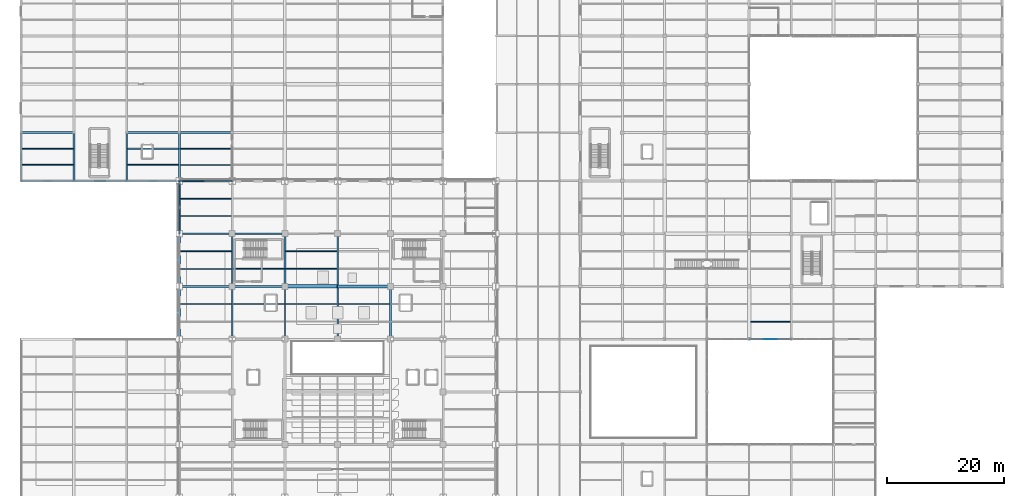
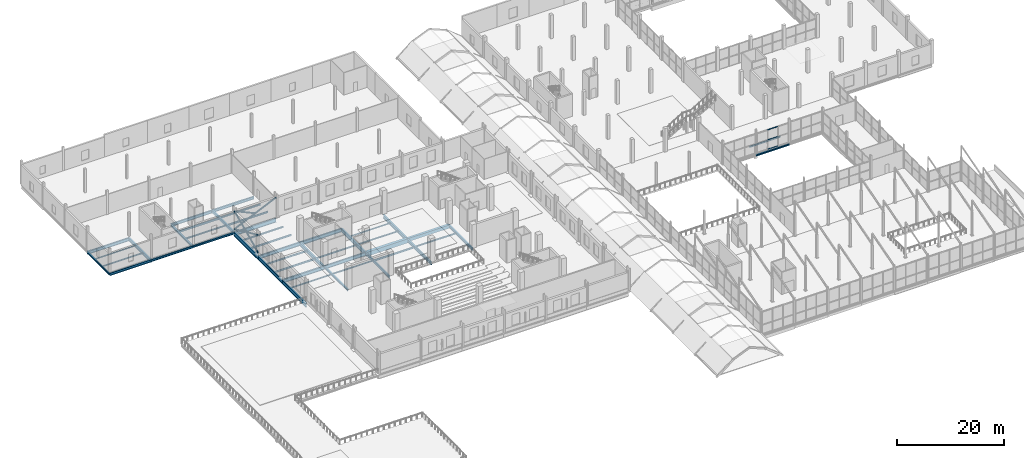
# One storey, part 43 of 141: 46 beams, 8 members, 1 element without a shape of its own.
"""IFC4 building model written with IfcOpenShell, lengths in metres."""

from ifc_helpers import new_model, si_unit, direction, frame, origin, origin_2d, place, context, subcontext, project, spatial, rectangle, hollow_rectangle, hollow_circle, i_section, extrude, material, layer, layer_set, material_profile, profile_set, type_object, element, aggregate, save


model = new_model("IFC4")

# Units and contexts
model_context = context("Model", 3, precision=1e-05, world=origin(), true_north=direction((0.0, 1.0)))
body_context = subcontext(model_context, "Body", "Model", "MODEL_VIEW")
ifc_project = project(units=[si_unit("LENGTHUNIT", "METRE"), si_unit("AREAUNIT", "SQUARE_METRE"), si_unit("VOLUMEUNIT", "CUBIC_METRE"), si_unit("PLANEANGLEUNIT", "RADIAN"), si_unit("MASSUNIT", "GRAM", prefix="KILO")], contexts=[model_context])

# Site, building, storey
site_placement = place(None, origin())
site = spatial("IfcSite", under=ifc_project, at=site_placement, CompositionType="ELEMENT")
building_placement = place(site_placement, origin())
building = spatial("IfcBuilding", under=site, at=building_placement, Name="Sundgate Opera House", CompositionType="ELEMENT")
storey_placement = place(building_placement, frame((0.0, 0.0, 11.39990234375)))
storey = spatial("IfcBuildingStorey", under=building, at=storey_placement, Name="L02", CompositionType="ELEMENT", Elevation=11.39990234375)

# Beams
ifc_material_1 = material(Name="Steel S355J2", Category="steel")
ifc_material_profile_1 = material_profile(ifc_material_1, i_section(OverallWidth=0.300048828125, OverallDepth=0.35009765625, WebThickness=0.010009765625, FlangeThickness=0.017578125, at=origin_2d()), Name="HEA 360")
ifc_profile_set_1 = profile_set([ifc_material_profile_1], Name="Steel S355J2")
beam_type_1 = type_object("IfcBeamType", Name="BM-GR-HEA360", PredefinedType="BEAM", material=ifc_profile_set_1)
beam_1_placement = place(storey_placement, frame((124.199951171875, 60.0, -0.52490234375), z_axis=(1.0, 0.0, 0.0), x_axis=(0.0, 1.0, 0.0)))
element("IfcBeam", 1, at=beam_1_placement, inside=storey, type_object=beam_type_1, Name="L02 Primary E-W Girder B2029", PredefinedType="BEAM", context=body_context, shape_type="SweptSolid", body=[
    extrude(i_section(OverallWidth=0.300048828125, OverallDepth=0.35009765625, WebThickness=0.010009765625, FlangeThickness=0.017578125, at=origin_2d()), origin(), (0.0, 0.0, 1.0), 7.199951171875),
])
ifc_material_2 = material(Name="Steel S355J2", Category="steel")
ifc_material_profile_2 = material_profile(ifc_material_2, i_section(OverallWidth=0.300048828125, OverallDepth=0.389892578125, WebThickness=0.010986328125, FlangeThickness=0.01904296875, at=origin_2d()), Name="HEA 400")
ifc_profile_set_2 = profile_set([ifc_material_profile_2], Name="Steel S355J2")
beam_type_2 = type_object("IfcBeamType", Name="BM-GR-HEA400", PredefinedType="BEAM", material=ifc_profile_set_2)
beam_2_placement = place(storey_placement, frame((0.0, 87.0, -0.544921875), z_axis=(0.0, 1.0, 0.0), x_axis=(-1.0, 0.0, 0.0)))
element("IfcBeam", 2, at=beam_2_placement, inside=storey, type_object=beam_type_2, Name="L02 Primary N-S Girder B1787", PredefinedType="BEAM", context=body_context, shape_type="SweptSolid", body=[
    extrude(i_section(OverallWidth=0.300048828125, OverallDepth=0.389892578125, WebThickness=0.010986328125, FlangeThickness=0.01904296875, at=origin_2d()), origin(), (0.0, 0.0, 1.0), 8.25),
])
ifc_material_3 = material(Name="Steel S355J2", Category="steel")
ifc_material_profile_3 = material_profile(ifc_material_3, i_section(OverallWidth=0.300048828125, OverallDepth=0.489990234375, WebThickness=0.011962890625, FlangeThickness=0.02294921875, at=origin_2d()), Name="HEA 500")
ifc_profile_set_3 = profile_set([ifc_material_profile_3], Name="Steel S355J2")
beam_type_3 = type_object("IfcBeamType", Name="BM-GR-HEA500", PredefinedType="BEAM", material=ifc_profile_set_3)
beam_3_placement = place(storey_placement, frame((18.0, 87.0, -0.594970703125), z_axis=(0.0, 1.0, 0.0), x_axis=(-1.0, 0.0, 0.0)))
element("IfcBeam", 3, at=beam_3_placement, inside=storey, type_object=beam_type_3, Name="L02 Primary N-S Girder B1807", PredefinedType="BEAM", context=body_context, shape_type="SweptSolid", body=[
    extrude(i_section(OverallWidth=0.300048828125, OverallDepth=0.489990234375, WebThickness=0.011962890625, FlangeThickness=0.02294921875, at=origin_2d()), origin(), (0.0, 0.0, 1.0), 8.25),
])
ifc_material_4 = material(Name="Steel S355J2", Category="steel")
ifc_material_profile_4 = material_profile(ifc_material_4, i_section(OverallWidth=0.300048828125, OverallDepth=0.590087890625, WebThickness=0.012939453125, FlangeThickness=0.02490234375, at=origin_2d()), Name="HEA 600")
ifc_profile_set_4 = profile_set([ifc_material_profile_4], Name="Steel S355J2")
beam_type_4 = type_object("IfcBeamType", Name="BM-GR-HEA600", PredefinedType="BEAM", material=ifc_profile_set_4)
beam_4_placement = place(storey_placement, frame((63.0, 60.0, -0.614990234375), z_axis=(0.0, 1.0, 0.0), x_axis=(-1.0, 0.0, 0.0)))
element("IfcBeam", 4, at=beam_4_placement, inside=storey, type_object=beam_type_4, Name="L02 Primary N-S Girder B1833", PredefinedType="BEAM", context=body_context, shape_type="SweptSolid", body=[
    extrude(i_section(OverallWidth=0.300048828125, OverallDepth=0.590087890625, WebThickness=0.012939453125, FlangeThickness=0.02490234375, at=origin_2d()), origin(), (0.0, 0.0, 1.0), 9.0),
])
ifc_material_5 = material(Name="Steel S355J2", Category="steel")
ifc_material_profile_5 = material_profile(ifc_material_5, i_section(OverallWidth=0.300048828125, OverallDepth=0.39990234375, WebThickness=0.013427734375, FlangeThickness=0.02392578125, at=origin_2d()), Name="HEB 400")
ifc_profile_set_5 = profile_set([ifc_material_profile_5], Name="Steel S355J2")
beam_type_5 = type_object("IfcBeamType", Name="BM-GR-HEB400", PredefinedType="BEAM", material=ifc_profile_set_5)
beam_5_placement = place(storey_placement, frame((36.0, 60.0, -0.52001953125), z_axis=(0.0, 1.0, 0.0), x_axis=(-1.0, 0.0, 0.0)))
element("IfcBeam", 5, at=beam_5_placement, inside=storey, type_object=beam_type_5, Name="L02 Primary N-S Girder B1818", PredefinedType="BEAM", context=body_context, shape_type="SweptSolid", body=[
    extrude(i_section(OverallWidth=0.300048828125, OverallDepth=0.39990234375, WebThickness=0.013427734375, FlangeThickness=0.02392578125, at=origin_2d()), origin(), (0.0, 0.0, 1.0), 9.0),
])
ifc_material_6 = material(Name="Steel S355J2", Category="steel")
ifc_material_profile_6 = material_profile(ifc_material_6, i_section(OverallWidth=0.300048828125, OverallDepth=0.449951171875, WebThickness=0.013916015625, FlangeThickness=0.02587890625, at=origin_2d()), Name="HEB 450")
ifc_profile_set_6 = profile_set([ifc_material_profile_6], Name="Steel S355J2")
beam_type_6 = type_object("IfcBeamType", Name="BM-GR-HEB450", PredefinedType="BEAM", material=ifc_profile_set_6)
beam_6_placement = place(storey_placement, frame((18.0, 87.0, -0.574951171875), z_axis=(1.0, 0.0, 0.0), x_axis=(0.0, 1.0, 0.0)))
element("IfcBeam", 6, at=beam_6_placement, inside=storey, type_object=beam_type_6, Name="L02 Primary E-W Girder B2058", PredefinedType="BEAM", context=body_context, shape_type="SweptSolid", body=[
    extrude(i_section(OverallWidth=0.300048828125, OverallDepth=0.449951171875, WebThickness=0.013916015625, FlangeThickness=0.02587890625, at=origin_2d()), origin(), (0.0, 0.0, 1.0), 9.0),
])
ifc_material_7 = material(Name="Steel S355J2", Category="steel")
ifc_material_profile_7 = material_profile(ifc_material_7, i_section(OverallWidth=0.300048828125, OverallDepth=0.5, WebThickness=0.014404296875, FlangeThickness=0.028076171875, at=origin_2d()), Name="HEB 500")
ifc_profile_set_7 = profile_set([ifc_material_profile_7], Name="Steel S355J2")
beam_type_7 = type_object("IfcBeamType", Name="BM-GR-HEB500", PredefinedType="BEAM", material=ifc_profile_set_7)
beam_7_placement = place(storey_placement, frame((9.0, 87.0, -0.599853515625), z_axis=(1.0, 0.0, 0.0), x_axis=(0.0, 1.0, 0.0)))
element("IfcBeam", 7, at=beam_7_placement, inside=storey, type_object=beam_type_7, Name="L02 Primary E-W Girder B2057", PredefinedType="BEAM", context=body_context, shape_type="SweptSolid", body=[
    extrude(i_section(OverallWidth=0.300048828125, OverallDepth=0.5, WebThickness=0.014404296875, FlangeThickness=0.028076171875, at=origin_2d()), origin(), (0.0, 0.0, 1.0), 9.0),
])
ifc_material_8 = material(Name="Steel S355J2", Category="steel")
ifc_material_profile_8 = material_profile(ifc_material_8, i_section(OverallWidth=0.300048828125, OverallDepth=0.550048828125, WebThickness=0.014892578125, FlangeThickness=0.029052734375, at=origin_2d()), Name="HEB 550")
ifc_profile_set_8 = profile_set([ifc_material_profile_8], Name="Steel S355J2")
beam_type_8 = type_object("IfcBeamType", Name="BM-GR-HEB550", PredefinedType="BEAM", material=ifc_profile_set_8)
beam_8_placement = place(storey_placement, frame((0.0, 87.0, -0.625), z_axis=(1.0, 0.0, 0.0), x_axis=(0.0, 1.0, 0.0)))
element("IfcBeam", 8, at=beam_8_placement, inside=storey, type_object=beam_type_8, Name="L02 Primary E-W Girder B2056", PredefinedType="BEAM", context=body_context, shape_type="SweptSolid", body=[
    extrude(i_section(OverallWidth=0.300048828125, OverallDepth=0.550048828125, WebThickness=0.014892578125, FlangeThickness=0.029052734375, at=origin_2d()), origin(), (0.0, 0.0, 1.0), 9.0),
])
ifc_material_9 = material(Name="Steel S355J2", Category="steel")
ifc_material_profile_9 = material_profile(ifc_material_9, i_section(OverallWidth=0.300048828125, OverallDepth=0.60009765625, WebThickness=0.015380859375, FlangeThickness=0.030029296875, at=origin_2d()), Name="HEB 600")
ifc_profile_set_9 = profile_set([ifc_material_profile_9], Name="Steel S355J2")
beam_type_9 = type_object("IfcBeamType", Name="BM-GR-HEB600", PredefinedType="BEAM", material=ifc_profile_set_9)
beam_9_placement = place(storey_placement, frame((27.0, 95.25, -0.64990234375), z_axis=(1.0, 0.0, 0.0), x_axis=(0.0, 1.0, 0.0)))
element("IfcBeam", 9, at=beam_9_placement, inside=storey, type_object=beam_type_9, Name="L02 Primary E-W Girder B2071", PredefinedType="BEAM", context=body_context, shape_type="SweptSolid", body=[
    extrude(i_section(OverallWidth=0.300048828125, OverallDepth=0.60009765625, WebThickness=0.015380859375, FlangeThickness=0.030029296875, at=origin_2d()), origin(), (0.0, 0.0, 1.0), 9.0),
])
ifc_material_10 = material(Name="Steel S355J2", Category="steel")
ifc_material_profile_10 = material_profile(ifc_material_10, i_section(OverallWidth=0.300048828125, OverallDepth=0.64990234375, WebThickness=0.01611328125, FlangeThickness=0.031005859375, at=origin_2d()), Name="HEB 650")
ifc_profile_set_10 = profile_set([ifc_material_profile_10], Name="Steel S355J2")
beam_type_10 = type_object("IfcBeamType", Name="BM-GR-HEB650", PredefinedType="BEAM", material=ifc_profile_set_10)
beam_10_placement = place(storey_placement, frame((18.0, 95.25, -0.6748046875), z_axis=(1.0, 0.0, 0.0), x_axis=(0.0, 1.0, 0.0)))
element("IfcBeam", 10, at=beam_10_placement, inside=storey, type_object=beam_type_10, Name="L02 Primary E-W Girder B2070", PredefinedType="BEAM", context=body_context, shape_type="SweptSolid", body=[
    extrude(i_section(OverallWidth=0.300048828125, OverallDepth=0.64990234375, WebThickness=0.01611328125, FlangeThickness=0.031005859375, at=origin_2d()), origin(), (0.0, 0.0, 1.0), 9.0),
])
ifc_material_11 = material(Name="Steel S355J2", Category="steel")
ifc_material_profile_11 = material_profile(ifc_material_11, i_section(OverallWidth=0.300048828125, OverallDepth=0.699951171875, WebThickness=0.01708984375, FlangeThickness=0.031982421875, at=origin_2d()), Name="HEB 700")
ifc_profile_set_11 = profile_set([ifc_material_profile_11], Name="Steel S355J2")
beam_type_11 = type_object("IfcBeamType", Name="BM-GR-HEB700", PredefinedType="BEAM", material=ifc_profile_set_11)
beam_11_placement = place(storey_placement, frame((9.0, 87.0, -0.699951171875), z_axis=(0.0, 1.0, 0.0), x_axis=(-1.0, 0.0, 0.0)))
element("IfcBeam", 11, at=beam_11_placement, inside=storey, type_object=beam_type_11, Name="L02 Primary N-S Girder B1798", PredefinedType="BEAM", context=body_context, shape_type="SweptSolid", body=[
    extrude(i_section(OverallWidth=0.300048828125, OverallDepth=0.699951171875, WebThickness=0.01708984375, FlangeThickness=0.031982421875, at=origin_2d()), origin(), (0.0, 0.0, 1.0), 8.25),
])
for number, where, z_axis, x_axis, name in (
    (12, (54.0, 60.0, -0.669921875), (0.0, 1.0, 0.0), (-1.0, 0.0, 0.0), "L02 Primary N-S Girder B1828"),
    (13, (0.0, 95.25, -0.699951171875), (1.0, 0.0, 0.0), (0.0, 1.0, 0.0), "L02 Primary E-W Girder B2069"),
):
    element("IfcBeam", number, at=place(storey_placement, frame(where, z_axis=z_axis, x_axis=x_axis)), inside=storey, type_object=beam_type_11, Name=name, PredefinedType="BEAM", context=body_context, shape_type="SweptSolid", body=[
        extrude(i_section(OverallWidth=0.300048828125, OverallDepth=0.699951171875, WebThickness=0.01708984375, FlangeThickness=0.031982421875, at=origin_2d()), origin(), (0.0, 0.0, 1.0), 9.0),
    ])
ifc_material_12 = material(Name="Steel S355J2", Category="steel")
ifc_material_profile_12 = material_profile(ifc_material_12, i_section(OverallWidth=0.219970703125, OverallDepth=0.60009765625, WebThickness=0.011962890625, FlangeThickness=0.01904296875, at=origin_2d()), Name="IPE 600")
ifc_profile_set_12 = profile_set([ifc_material_profile_12], Name="Steel S355J2")
beam_type_12 = type_object("IfcBeamType", Name="BM-GR-IPE600", PredefinedType="BEAM", material=ifc_profile_set_12)
beam_12_placement = place(storey_placement, frame((45.0, 60.0, -0.619873046875), z_axis=(0.0, 1.0, 0.0), x_axis=(-1.0, 0.0, 0.0)))
element("IfcBeam", 14, at=beam_12_placement, inside=storey, type_object=beam_type_12, Name="L02 Primary N-S Girder B1823", PredefinedType="BEAM", context=body_context, shape_type="SweptSolid", body=[
    extrude(i_section(OverallWidth=0.219970703125, OverallDepth=0.60009765625, WebThickness=0.011962890625, FlangeThickness=0.01904296875, at=origin_2d()), origin(), (0.0, 0.0, 1.0), 9.0),
])
ifc_material_13 = material(Name="Steel S355J2", Category="steel")
ifc_material_profile_13 = material_profile(ifc_material_13, i_section(OverallWidth=0.1201171875, OverallDepth=0.239990234375, WebThickness=0.006103515625, FlangeThickness=0.009765625, at=origin_2d()), Name="IPE 240")
ifc_profile_set_13 = profile_set([ifc_material_profile_13], Name="Steel S355J2")
beam_type_13 = type_object("IfcBeamType", Name="BM-JS-IPE240", PredefinedType="JOIST", material=ifc_profile_set_13)
beam_13_placement = place(storey_placement, frame((36.14990234375, 66.0, -0.43994140625), z_axis=(1.0, 0.0, 0.0), x_axis=(0.0, 1.0, 0.0)))
element("IfcBeam", 15, at=beam_13_placement, inside=storey, type_object=beam_type_13, Name="L02 Secondary Floor Joist B2254", PredefinedType="JOIST", context=body_context, shape_type="SweptSolid", body=[
    extrude(i_section(OverallWidth=0.1201171875, OverallDepth=0.239990234375, WebThickness=0.006103515625, FlangeThickness=0.009765625, at=origin_2d()), origin(), (0.0, 0.0, 1.0), 8.739990234375),
])
beam_14_placement = place(storey_placement, frame((18.14990234375, 89.75, -0.469970703125), z_axis=(1.0, 0.0, 0.0), x_axis=(0.0, 1.0, 0.0)))
element("IfcBeam", 16, at=beam_14_placement, inside=storey, type_object=beam_type_13, Name="L02 Secondary Floor Joist B2338", PredefinedType="JOIST", context=body_context, shape_type="SweptSolid", body=[
    extrude(i_section(OverallWidth=0.1201171875, OverallDepth=0.239990234375, WebThickness=0.006103515625, FlangeThickness=0.009765625, at=origin_2d()), origin(), (0.0, 0.0, 1.0), 8.675048828125),
])
ifc_material_14 = material(Name="Steel S355J2", Category="steel")
ifc_material_profile_14 = material_profile(ifc_material_14, i_section(OverallWidth=0.135009765625, OverallDepth=0.27001953125, WebThickness=0.006591796875, FlangeThickness=0.01025390625, at=origin_2d()), Name="IPE 270")
ifc_profile_set_14 = profile_set([ifc_material_profile_14], Name="Steel S355J2")
beam_type_14 = type_object("IfcBeamType", Name="BM-JS-IPE270", PredefinedType="JOIST", material=ifc_profile_set_14)
for number, where, z_axis, x_axis, name in (
    (17, (45.14990234375, 75.0, -0.454833984375), (1.0, 0.0, 0.0), (0.0, 1.0, 0.0), "L02 Secondary Floor Joist B2281"),
    (18, (0.14990234375, 92.5, -0.48486328125), (1.0, 0.0, 0.0), (0.0, 1.0, 0.0), "L02 Secondary Floor Joist B2337"),
):
    element("IfcBeam", number, at=place(storey_placement, frame(where, z_axis=z_axis, x_axis=x_axis)), inside=storey, type_object=beam_type_14, Name=name, PredefinedType="JOIST", context=body_context, shape_type="SweptSolid", body=[
        extrude(i_section(OverallWidth=0.135009765625, OverallDepth=0.27001953125, WebThickness=0.006591796875, FlangeThickness=0.01025390625, at=origin_2d()), origin(), (0.0, 0.0, 1.0), 8.7001953125),
    ])
ifc_material_15 = material(Name="Steel S355J2", Category="steel")
ifc_material_profile_15 = material_profile(ifc_material_15, i_section(OverallWidth=0.14990234375, OverallDepth=0.300048828125, WebThickness=0.007080078125, FlangeThickness=0.0107421875, at=origin_2d()), Name="IPE 300")
ifc_profile_set_15 = profile_set([ifc_material_profile_15], Name="Steel S355J2")
beam_type_15 = type_object("IfcBeamType", Name="BM-JS-IPE300", PredefinedType="JOIST", material=ifc_profile_set_15)
for number, where, z_axis, x_axis, name in (
    (19, (27.14990234375, 66.0, -0.469970703125), (1.0, 0.0, 0.0), (0.0, 1.0, 0.0), "L02 Secondary Floor Joist B2252"),
    (20, (45.14990234375, 72.0, -0.469970703125), (1.0, 0.0, 0.0), (0.0, 1.0, 0.0), "L02 Secondary Floor Joist B2280"),
    (21, (0.14990234375, 89.75, -0.5), (1.0, 0.0, 0.0), (0.0, 1.0, 0.0), "L02 Secondary Floor Joist B2336"),
):
    element("IfcBeam", number, at=place(storey_placement, frame(where, z_axis=z_axis, x_axis=x_axis)), inside=storey, type_object=beam_type_15, Name=name, PredefinedType="JOIST", context=body_context, shape_type="SweptSolid", body=[
        extrude(i_section(OverallWidth=0.14990234375, OverallDepth=0.300048828125, WebThickness=0.007080078125, FlangeThickness=0.0107421875, at=origin_2d()), origin(), (0.0, 0.0, 1.0), 8.7001953125),
    ])
ifc_material_16 = material(Name="Steel S355J2", Category="steel")
ifc_material_profile_16 = material_profile(ifc_material_16, i_section(OverallWidth=0.159912109375, OverallDepth=0.330078125, WebThickness=0.007568359375, FlangeThickness=0.011474609375, at=origin_2d()), Name="IPE 330")
ifc_profile_set_16 = profile_set([ifc_material_profile_16], Name="Steel S355J2")
beam_type_16 = type_object("IfcBeamType", Name="BM-JS-IPE330", PredefinedType="JOIST", material=ifc_profile_set_16)
for number, where, z_axis, x_axis, name in (
    (22, (54.14990234375, 66.0, -0.48486328125), (1.0, 0.0, 0.0), (0.0, 1.0, 0.0), "L02 Secondary Floor Joist B2258"),
    (23, (36.14990234375, 72.0, -0.48486328125), (1.0, 0.0, 0.0), (0.0, 1.0, 0.0), "L02 Secondary Floor Joist B2279"),
):
    element("IfcBeam", number, at=place(storey_placement, frame(where, z_axis=z_axis, x_axis=x_axis)), inside=storey, type_object=beam_type_16, Name=name, PredefinedType="JOIST", context=body_context, shape_type="SweptSolid", body=[
        extrude(i_section(OverallWidth=0.159912109375, OverallDepth=0.330078125, WebThickness=0.007568359375, FlangeThickness=0.011474609375, at=origin_2d()), origin(), (0.0, 0.0, 1.0), 8.7001953125),
    ])
ifc_material_17 = material(Name="Steel S355J2", Category="steel")
ifc_material_profile_17 = material_profile(ifc_material_17, i_section(OverallWidth=0.169921875, OverallDepth=0.360107421875, WebThickness=0.008056640625, FlangeThickness=0.0126953125, at=origin_2d()), Name="IPE 360")
ifc_profile_set_17 = profile_set([ifc_material_profile_17], Name="Steel S355J2")
beam_type_17 = type_object("IfcBeamType", Name="BM-JS-IPE360", PredefinedType="JOIST", material=ifc_profile_set_17)
beam_15_placement = place(storey_placement, frame((124.5, 63.0, -0.52978515625), z_axis=(1.0, 0.0, 0.0), x_axis=(0.0, 1.0, 0.0)))
element("IfcBeam", 24, at=beam_15_placement, inside=storey, type_object=beam_type_17, Name="L02 Secondary Floor Joist B2271", PredefinedType="JOIST", context=body_context, shape_type="SweptSolid", body=[
    extrude(i_section(OverallWidth=0.169921875, OverallDepth=0.360107421875, WebThickness=0.008056640625, FlangeThickness=0.0126953125, at=origin_2d()), origin(), (0.0, 0.0, 1.0), 6.75),
])
for number, where, z_axis, x_axis, name in (
    (25, (27.14990234375, 75.0, -0.5), (1.0, 0.0, 0.0), (0.0, 1.0, 0.0), "L02 Secondary Floor Joist B2278"),
    (26, (27.14990234375, 84.0, -0.5), (1.0, 0.0, 0.0), (0.0, 1.0, 0.0), "L02 Secondary Floor Joist B2306"),
):
    element("IfcBeam", number, at=place(storey_placement, frame(where, z_axis=z_axis, x_axis=x_axis)), inside=storey, type_object=beam_type_17, Name=name, PredefinedType="JOIST", context=body_context, shape_type="SweptSolid", body=[
        extrude(i_section(OverallWidth=0.169921875, OverallDepth=0.360107421875, WebThickness=0.008056640625, FlangeThickness=0.0126953125, at=origin_2d()), origin(), (0.0, 0.0, 1.0), 8.7001953125),
    ])
beam_16_placement = place(storey_placement, frame((27.175048828125, 92.5, -0.52978515625), z_axis=(1.0, 0.0, 0.0), x_axis=(0.0, 1.0, 0.0)))
element("IfcBeam", 27, at=beam_16_placement, inside=storey, type_object=beam_type_17, Name="L02 Secondary Floor Joist B2341", PredefinedType="JOIST", context=body_context, shape_type="SweptSolid", body=[
    extrude(i_section(OverallWidth=0.169921875, OverallDepth=0.360107421875, WebThickness=0.008056640625, FlangeThickness=0.0126953125, at=origin_2d()), origin(), (0.0, 0.0, 1.0), 8.675048828125),
])
ifc_material_18 = material(Name="Steel S355J2", Category="steel")
ifc_material_profile_18 = material_profile(ifc_material_18, i_section(OverallWidth=0.179931640625, OverallDepth=0.39990234375, WebThickness=0.008544921875, FlangeThickness=0.013427734375, at=origin_2d()), Name="IPE 400")
ifc_profile_set_18 = profile_set([ifc_material_profile_18], Name="Steel S355J2")
beam_type_18 = type_object("IfcBeamType", Name="BM-JS-IPE400", PredefinedType="JOIST", material=ifc_profile_set_18)
beam_17_placement = place(storey_placement, frame((45.110107421875, 66.0, -0.52001953125), z_axis=(1.0, 0.0, 0.0), x_axis=(0.0, 1.0, 0.0)))
element("IfcBeam", 28, at=beam_17_placement, inside=storey, type_object=beam_type_18, Name="L02 Secondary Floor Joist B2256", PredefinedType="JOIST", context=body_context, shape_type="SweptSolid", body=[
    extrude(i_section(OverallWidth=0.179931640625, OverallDepth=0.39990234375, WebThickness=0.008544921875, FlangeThickness=0.013427734375, at=origin_2d()), origin(), (0.0, 0.0, 1.0), 8.739990234375),
])
for number, where, z_axis, x_axis, name in (
    (29, (27.14990234375, 72.0, -0.52001953125), (1.0, 0.0, 0.0), (0.0, 1.0, 0.0), "L02 Secondary Floor Joist B2277"),
    (30, (27.14990234375, 81.0, -0.52001953125), (1.0, 0.0, 0.0), (0.0, 1.0, 0.0), "L02 Secondary Floor Joist B2305"),
):
    element("IfcBeam", number, at=place(storey_placement, frame(where, z_axis=z_axis, x_axis=x_axis)), inside=storey, type_object=beam_type_18, Name=name, PredefinedType="JOIST", context=body_context, shape_type="SweptSolid", body=[
        extrude(i_section(OverallWidth=0.179931640625, OverallDepth=0.39990234375, WebThickness=0.008544921875, FlangeThickness=0.013427734375, at=origin_2d()), origin(), (0.0, 0.0, 1.0), 8.7001953125),
    ])
beam_18_placement = place(storey_placement, frame((27.175048828125, 89.75, -0.5498046875), z_axis=(1.0, 0.0, 0.0), x_axis=(0.0, 1.0, 0.0)))
element("IfcBeam", 31, at=beam_18_placement, inside=storey, type_object=beam_type_18, Name="L02 Secondary Floor Joist B2340", PredefinedType="JOIST", context=body_context, shape_type="SweptSolid", body=[
    extrude(i_section(OverallWidth=0.179931640625, OverallDepth=0.39990234375, WebThickness=0.008544921875, FlangeThickness=0.013427734375, at=origin_2d()), origin(), (0.0, 0.0, 1.0), 8.675048828125),
])
ifc_material_19 = material(Name="Steel S355J2", Category="steel")
ifc_material_profile_19 = material_profile(ifc_material_19, i_section(OverallWidth=0.18994140625, OverallDepth=0.449951171875, WebThickness=0.009521484375, FlangeThickness=0.0146484375, at=origin_2d()), Name="IPE 450")
ifc_profile_set_19 = profile_set([ifc_material_profile_19], Name="Steel S355J2")
beam_type_19 = type_object("IfcBeamType", Name="BM-JS-IPE450", PredefinedType="JOIST", material=ifc_profile_set_19)
beam_19_placement = place(storey_placement, frame((18.14990234375, 92.5, -0.574951171875), z_axis=(1.0, 0.0, 0.0), x_axis=(0.0, 1.0, 0.0)))
element("IfcBeam", 32, at=beam_19_placement, inside=storey, type_object=beam_type_19, Name="L02 Secondary Floor Joist B2339", PredefinedType="JOIST", context=body_context, shape_type="SweptSolid", body=[
    extrude(i_section(OverallWidth=0.18994140625, OverallDepth=0.449951171875, WebThickness=0.009521484375, FlangeThickness=0.0146484375, at=origin_2d()), origin(), (0.0, 0.0, 1.0), 8.675048828125),
])
ifc_material_20 = material(Name="Steel S355J2", Category="steel")
ifc_material_profile_20 = material_profile(ifc_material_20, i_section(OverallWidth=0.300048828125, OverallDepth=0.800048828125, WebThickness=0.017578125, FlangeThickness=0.032958984375, at=origin_2d()), Name="HEB 800")
ifc_profile_set_20 = profile_set([ifc_material_profile_20], Name="Steel S355J2")
beam_type_20 = type_object("IfcBeamType", Name="BM-OUT-HEB800", PredefinedType="BEAM", material=ifc_profile_set_20)
for number, where, z_axis, x_axis, name in (
    (33, (36.0, 69.0, -0.75), (0.0, 1.0, 0.0), (-1.0, 0.0, 0.0), "L02 Cube Outrigger Back-Span Girder B0027"),
    (34, (45.0, 69.0, -0.75), (0.0, 1.0, 0.0), (-1.0, 0.0, 0.0), "L02 Cube Outrigger Back-Span Girder B0030"),
    (35, (54.0, 69.0, -0.75), (0.0, 1.0, 0.0), (-1.0, 0.0, 0.0), "L02 Cube Outrigger Back-Span Girder B0033"),
    (36, (45.0, 69.0, -0.75), (-1.0, 0.0, 0.0), (0.0, -1.0, 0.0), "L02 Cube Outrigger Back-Span Girder B0052"),
    (37, (36.0, 69.0, -0.75), (-1.0, 0.0, 0.0), (0.0, -1.0, 0.0), "L02 Cube Outrigger Girder B0054"),
    (38, (45.0, 78.0, -0.75), (-1.0, 0.0, 0.0), (0.0, -1.0, 0.0), "L02 Cube Outrigger Back-Span Girder B0056"),
    (39, (36.0, 78.0, -0.75), (-1.0, 0.0, 0.0), (0.0, -1.0, 0.0), "L02 Cube Outrigger Girder B0058"),
):
    element("IfcBeam", number, at=place(storey_placement, frame(where, z_axis=z_axis, x_axis=x_axis)), inside=storey, type_object=beam_type_20, Name=name, PredefinedType="BEAM", context=body_context, shape_type="SweptSolid", body=[
        extrude(i_section(OverallWidth=0.300048828125, OverallDepth=0.800048828125, WebThickness=0.017578125, FlangeThickness=0.032958984375, at=origin_2d()), origin(), (0.0, 0.0, 1.0), 9.0),
    ])
ifc_material_21 = material(Name="Concrete C35/45", Category="concrete")
ifc_material_profile_21 = material_profile(ifc_material_21, rectangle(XDim=0.35009765625, YDim=0.550048828125, at=origin_2d()), Name="RC 350x550")
ifc_profile_set_21 = profile_set([ifc_material_profile_21], Name="Concrete C35/45")
beam_type_21 = type_object("IfcBeamType", Name="BM-RC-350x550", PredefinedType="BEAM", material=ifc_profile_set_21)
beam_20_placement = place(storey_placement, frame((27.0, 87.0, -0.625), z_axis=(0.0, 1.0, 0.0), x_axis=(-1.0, 0.0, 0.0)))
element("IfcBeam", 40, at=beam_20_placement, inside=storey, type_object=beam_type_21, Name="L02 Primary N-S Girder B1813", PredefinedType="BEAM", context=body_context, shape_type="SweptSolid", body=[
    extrude(rectangle(XDim=0.35009765625, YDim=0.550048828125, at=origin_2d()), origin(), (0.0, 0.0, 1.0), 8.25),
])
ifc_material_22 = material(Name="Concrete C40/50", Category="concrete")
ifc_material_profile_22 = material_profile(ifc_material_22, rectangle(XDim=0.5, YDim=0.75, at=origin_2d()), Name="RC 500x750")
ifc_profile_set_22 = profile_set([ifc_material_profile_22], Name="Concrete C40/50")
beam_type_22 = type_object("IfcBeamType", Name="BM-RC-500x750", PredefinedType="BEAM", material=ifc_profile_set_22)
beam_21_placement = place(storey_placement, frame((54.0, 69.0, -0.69482421875), z_axis=(1.0, 0.0, 0.0), x_axis=(0.0, 1.0, 0.0)))
element("IfcBeam", 41, at=beam_21_placement, inside=storey, type_object=beam_type_22, Name="L02 Primary E-W Girder B2033", PredefinedType="BEAM", context=body_context, shape_type="SweptSolid", body=[
    extrude(rectangle(XDim=0.5, YDim=0.75, at=origin_2d()), origin(), (0.0, 0.0, 1.0), 9.0),
])
ifc_material_23 = material(Name="Concrete C40/50", Category="concrete")
ifc_material_profile_23 = material_profile(ifc_material_23, rectangle(XDim=0.60009765625, YDim=0.949951171875, at=origin_2d()), Name="RC 600x950")
ifc_profile_set_23 = profile_set([ifc_material_profile_23], Name="Concrete C40/50")
beam_type_23 = type_object("IfcBeamType", Name="BM-RC-600x950", PredefinedType="BEAM", material=ifc_profile_set_23)
beam_22_placement = place(storey_placement, frame((45.0, 69.0, -0.794921875), z_axis=(1.0, 0.0, 0.0), x_axis=(0.0, 1.0, 0.0)))
element("IfcBeam", 42, at=beam_22_placement, inside=storey, type_object=beam_type_23, Name="L02 Primary E-W Girder B2032", PredefinedType="BEAM", context=body_context, shape_type="SweptSolid", body=[
    extrude(rectangle(XDim=0.60009765625, YDim=0.949951171875, at=origin_2d()), origin(), (0.0, 0.0, 1.0), 9.0),
])
ifc_material_24 = material(Name="Steel S355ML", Category="steel")
ifc_material_profile_24 = material_profile(ifc_material_24, i_section(OverallWidth=0.300048828125, OverallDepth=0.89990234375, WebThickness=0.0185546875, FlangeThickness=0.034912109375, at=origin_2d()), Name="HEB 900")
ifc_profile_set_24 = profile_set([ifc_material_profile_24], Name="Steel S355ML")
beam_type_24 = type_object("IfcBeamType", Name="BM-TR-HEB900", PredefinedType="BEAM", material=ifc_profile_set_24)
for number, where, z_axis, x_axis, name in (
    (43, (27.0, 87.0, -0.7998046875), (1.0, 0.0, 0.0), (0.0, 1.0, 0.0), "L02 Cube Perimeter Transfer Girder B0007"),
    (44, (27.0, 60.0, -0.7998046875), (0.0, 1.0, 0.0), (-1.0, 0.0, 0.0), "L02 Cube Perimeter Transfer Girder B0016"),
    (45, (27.0, 69.0, -0.7998046875), (0.0, 1.0, 0.0), (-1.0, 0.0, 0.0), "L02 Cube Perimeter Transfer Girder B0017"),
    (46, (27.0, 78.0, -0.7998046875), (0.0, 1.0, 0.0), (-1.0, 0.0, 0.0), "L02 Cube Perimeter Transfer Girder B0018"),
):
    element("IfcBeam", number, at=place(storey_placement, frame(where, z_axis=z_axis, x_axis=x_axis)), inside=storey, type_object=beam_type_24, Name=name, PredefinedType="BEAM", context=body_context, shape_type="SweptSolid", body=[
        extrude(i_section(OverallWidth=0.300048828125, OverallDepth=0.89990234375, WebThickness=0.0185546875, FlangeThickness=0.034912109375, at=origin_2d()), origin(), (0.0, 0.0, 1.0), 9.0),
    ])

# Curtain wall, members
ifc_material_25 = material(Name="Anodized aluminium and low-iron glass", Category="aluminium")
ifc_layer = layer(ifc_material_25, 0.159912109375)
ifc_layer_set = layer_set([ifc_layer], Name="Anodized aluminium and low-iron glass")
curtain_wall_type = type_object("IfcCurtainWallType", Name="CW-STUDIO-DARK", PredefinedType="NOTDEFINED", material=ifc_layer_set)
curtain_wall_placement = place(storey_placement, origin())
curtain_wall = element("IfcCurtainWall", 47, at=curtain_wall_placement, inside=storey, type_object=curtain_wall_type, Name="L02 Curtain Wall CW073", PredefinedType="NOTDEFINED")
ifc_material_26 = material(Name="Anodized aluminium EN AW-6063", Category="aluminium")
ifc_material_profile_25 = material_profile(ifc_material_26, hollow_rectangle(XDim=0.054931640625, YDim=0.1201171875, WallThickness=0.00390625, at=origin_2d()), Name="CWT 120x55x4")
ifc_profile_set_25 = profile_set([ifc_material_profile_25], Name="Anodized aluminium EN AW-6063")
member_type_1 = type_object("IfcMemberType", Name="CWT-ALU-120x55", PredefinedType="USERDEFINED", material=ifc_profile_set_25)
member_1_placement = place(storey_placement, frame((128.925048828125, 60.0, 0.0), z_axis=(-1.0, 0.0, 0.0), x_axis=(0.0, -1.0, 0.0)))
member_1 = element("IfcMember", 48, at=member_1_placement, type_object=member_type_1, Name="CW073 Transom 4", ObjectType="TRANSOM", PredefinedType="USERDEFINED", context=body_context, shape_type="SweptSolid", body=[
    extrude(hollow_rectangle(XDim=0.054931640625, YDim=0.1201171875, WallThickness=0.00390625, at=origin_2d()), origin(), (0.0, 0.0, 1.0), 2.25),
])
member_2_placement = place(storey_placement, frame((128.925048828125, 60.0, 2.150146484375), z_axis=(-1.0, 0.0, 0.0), x_axis=(0.0, -1.0, 0.0)))
member_2 = element("IfcMember", 49, at=member_2_placement, type_object=member_type_1, Name="CW073 Transom 5", ObjectType="TRANSOM", PredefinedType="USERDEFINED", context=body_context, shape_type="SweptSolid", body=[
    extrude(hollow_rectangle(XDim=0.054931640625, YDim=0.1201171875, WallThickness=0.00390625, at=origin_2d()), origin(), (0.0, 0.0, 1.0), 2.25),
])
member_3_placement = place(storey_placement, frame((128.925048828125, 60.0, 4.405029296875), z_axis=(-1.0, 0.0, 0.0), x_axis=(0.0, -1.0, 0.0)))
member_3 = element("IfcMember", 50, at=member_3_placement, type_object=member_type_1, Name="CW073 Transom 6", ObjectType="TRANSOM", PredefinedType="USERDEFINED", context=body_context, shape_type="SweptSolid", body=[
    extrude(hollow_rectangle(XDim=0.054931640625, YDim=0.1201171875, WallThickness=0.00390625, at=origin_2d()), origin(), (0.0, 0.0, 1.0), 2.25),
])
aggregate(curtain_wall, [member_1, member_2, member_3])

# Members
ifc_material_27 = material(Name="Steel S355J2", Category="steel")
ifc_material_profile_26 = material_profile(ifc_material_27, hollow_circle(Radius=0.177734375, WallThickness=0.01611328125, at=origin_2d()), Name="CHS 355.6x16.0")
ifc_profile_set_26 = profile_set([ifc_material_profile_26], Name="Steel S355J2")
member_type_2 = type_object("IfcMemberType", Name="MB-BRC-CHS356", PredefinedType="BRACE", material=ifc_profile_set_26)
member_4_placement = place(storey_placement, frame((27.0, 87.0, 0.25), z_axis=(0.910016154981, 0.0, 0.414572789354), x_axis=(0.0, 1.0, 0.0)))
element("IfcMember", 51, at=member_4_placement, inside=storey, type_object=member_type_2, Name="L02 Belt-Truss Continuous Diagonal M0005", PredefinedType="BRACE", context=body_context, shape_type="SweptSolid", body=[
    extrude(hollow_circle(Radius=0.177734375, WallThickness=0.01611328125, at=origin_2d()), origin(), (0.0, 0.0, 1.0), 9.889892578125),
])
member_5_placement = place(storey_placement, frame((31.3544921875, 87.0, 2.366455078125), z_axis=(-0.910025440845, 0.0, 0.414552405633), x_axis=(0.0, -1.0, 0.0)))
element("IfcMember", 52, at=member_5_placement, inside=storey, type_object=member_type_2, Name="L02 Belt-Truss Upper Half Diagonal MS003", PredefinedType="BRACE", context=body_context, shape_type="SweptSolid", body=[
    extrude(hollow_circle(Radius=0.177734375, WallThickness=0.01611328125, at=origin_2d()), origin(), (0.0, 0.0, 1.0), 4.784912109375),
])
member_6_placement = place(storey_placement, frame((27.0, 78.0, 0.25), z_axis=(0.0, 0.910016154981, 0.414572789354), x_axis=(-1.0, 0.0, 0.0)))
element("IfcMember", 53, at=member_6_placement, inside=storey, type_object=member_type_2, Name="L02 Belt-Truss Continuous Diagonal M0011", PredefinedType="BRACE", context=body_context, shape_type="SweptSolid", body=[
    extrude(hollow_circle(Radius=0.177734375, WallThickness=0.01611328125, at=origin_2d()), origin(), (0.0, 0.0, 1.0), 9.889892578125),
])
member_7_placement = place(storey_placement, frame((27.0, 87.0, 0.25), z_axis=(0.0, -0.910006192119, 0.414594657836), x_axis=(1.0, 0.0, 0.0)))
element("IfcMember", 54, at=member_7_placement, inside=storey, type_object=member_type_2, Name="L02 Belt-Truss Lower Half Diagonal M0012", PredefinedType="BRACE", context=body_context, shape_type="SweptSolid", body=[
    extrude(hollow_circle(Radius=0.177734375, WallThickness=0.01611328125, at=origin_2d()), origin(), (0.0, 0.0, 1.0), 4.78515625),
])
member_8_placement = place(storey_placement, frame((27.0, 82.3544921875, 2.366455078125), z_axis=(0.0, -0.910025440845, 0.414552405633), x_axis=(1.0, 0.0, 0.0)))
element("IfcMember", 55, at=member_8_placement, inside=storey, type_object=member_type_2, Name="L02 Belt-Truss Upper Half Diagonal MS006", PredefinedType="BRACE", context=body_context, shape_type="SweptSolid", body=[
    extrude(hollow_circle(Radius=0.177734375, WallThickness=0.01611328125, at=origin_2d()), origin(), (0.0, 0.0, 1.0), 4.784912109375),
])

save(model, "model.ifc")
